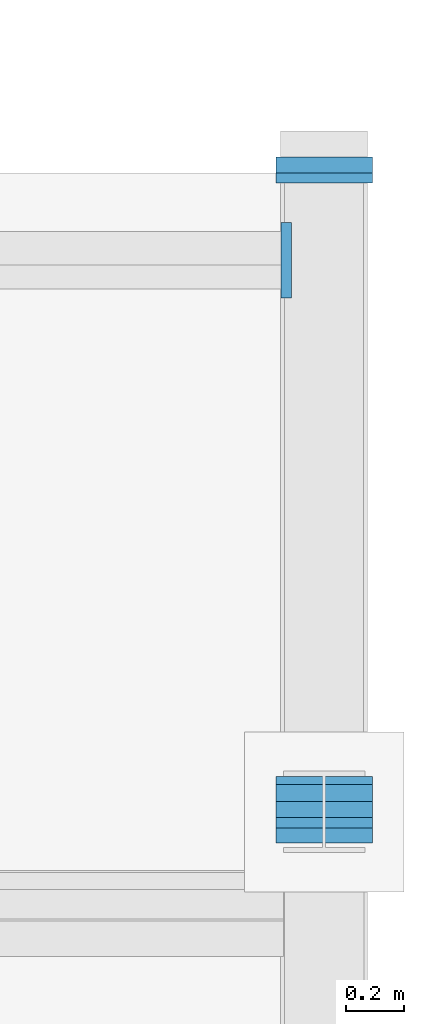
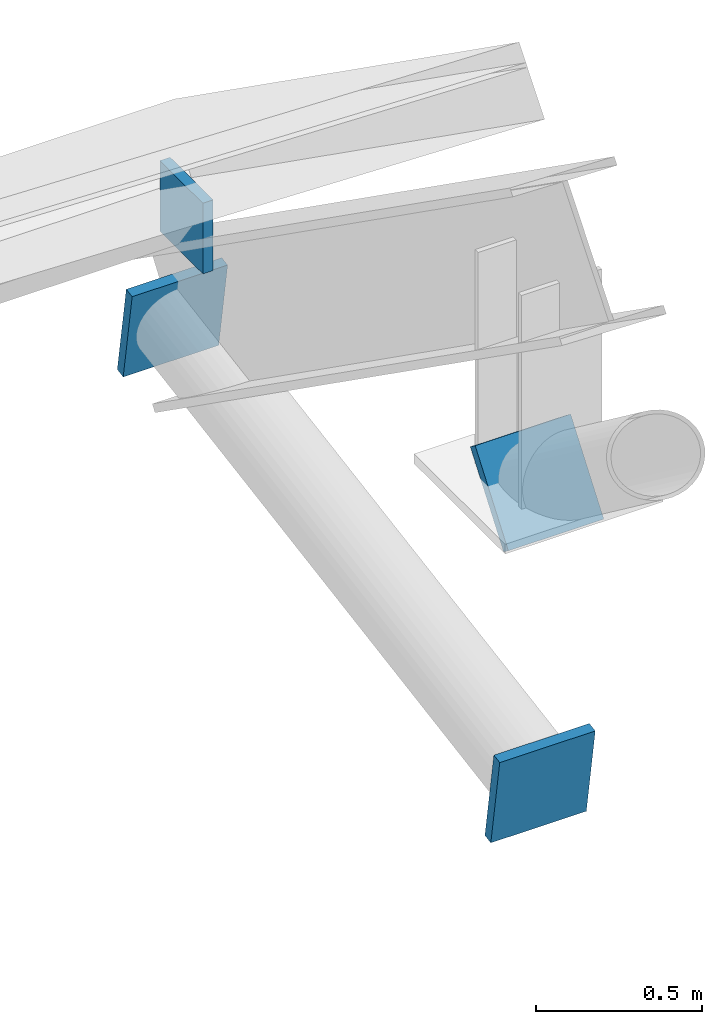
# One storey, part 56 of 57: 4 discrete accessories.
"""IFC4 building model written with IfcOpenShell, lengths in metres."""

from ifc_helpers import new_model, si_unit, direction, frame, origin, origin_2d, place, context, subcontext, project, spatial, rectangle, extrude, material, material_profile, profile_set, type_object, element, save


model = new_model("IFC4")

# Units and contexts
model_context = context("Model", 3, precision=1e-05, world=origin(), true_north=direction((0.0, 1.0)))
body_context = subcontext(model_context, "Body", "Model", "MODEL_VIEW")
ifc_project = project(units=[si_unit("LENGTHUNIT", "METRE"), si_unit("AREAUNIT", "SQUARE_METRE"), si_unit("VOLUMEUNIT", "CUBIC_METRE"), si_unit("PLANEANGLEUNIT", "RADIAN"), si_unit("MASSUNIT", "GRAM", prefix="KILO")], contexts=[model_context])

# Site, building, storey
site_placement = place(None, origin())
site = spatial("IfcSite", under=ifc_project, at=site_placement, CompositionType="ELEMENT")
building_placement = place(site_placement, origin())
building = spatial("IfcBuilding", under=site, at=building_placement, Name="Kelarvand Opera House", CompositionType="ELEMENT")
storey_placement = place(building_placement, frame((0.0, 0.0, 33.60009765625)))
storey = spatial("IfcBuildingStorey", under=building, at=storey_placement, Name="Roof", CompositionType="ELEMENT", Elevation=33.60009765625)

# Discrete accessories
ifc_material = material(Name="Steel S355", Category="steel")
ifc_material_profile_1 = material_profile(ifc_material, rectangle(XDim=0.260009765625, YDim=0.260009765625, at=origin_2d()), Name="Welded Steel Hollow End-Cap Plate 260x260x24", Category="steel")
ifc_profile_set_1 = profile_set([ifc_material_profile_1], Name="Steel S355")
discrete_accessory_type_1 = type_object("IfcDiscreteAccessoryType", Name="Welded Steel Hollow End-Cap Plate 260x260x24", PredefinedType="SHOE", material=ifc_profile_set_1)
discrete_accessory_placement = place(storey_placement, frame((141.652099609375, 80.300048828125, -9.721923828125), z_axis=(1.0, 0.0, 0.0), x_axis=(0.0, 1.0, 0.0)))
element("IfcDiscreteAccessory", 1, at=discrete_accessory_placement, inside=storey, type_object=discrete_accessory_type_1, Name="Hollow Section Welded End Cap 432", PredefinedType="SHOE", context=body_context, shape_type="SweptSolid", body=[
    extrude(rectangle(XDim=0.260009765625, YDim=0.260009765625, at=origin_2d()), origin(), (0.0, 0.0, 1.0), 0.035888671875),
])
ifc_material_profile_2 = material_profile(ifc_material, rectangle(XDim=0.3330078125, YDim=0.3330078125, at=origin_2d()), Name="Welded Steel Hollow End-Cap Plate 333x333x24", Category="steel")
ifc_profile_set_2 = profile_set([ifc_material_profile_2], Name="Steel S355")
discrete_accessory_type_2 = type_object("IfcDiscreteAccessoryType", Name="Welded Steel Hollow End-Cap Plate 333x333x24", PredefinedType="SHOE", material=ifc_profile_set_2)
for number, where, z_axis, x_axis, name in (
    (2, (141.800048828125, 78.407958984375, -10.69873046875), (0.0, -0.986756818481, -0.162206600298), (1.0, 0.0, 0.0), "Hollow Section Welded End Cap 375"),
    (3, (141.800048828125, 80.592041015625, -10.33349609375), (0.0, 0.986756818481, 0.162206600298), (-1.0, 0.0, 0.0), "Hollow Section Welded End Cap 376"),
    (4, (141.800048828125, 78.3935546875, -9.59521484375), (0.0, 0.798373260242, -0.602162882725), (-1.0, 0.0, 0.0), "Hollow Section Welded End Cap 379"),
):
    element("IfcDiscreteAccessory", number, at=place(storey_placement, frame(where, z_axis=z_axis, x_axis=x_axis)), inside=storey, type_object=discrete_accessory_type_2, Name=name, PredefinedType="SHOE", context=body_context, shape_type="SweptSolid", body=[
        extrude(rectangle(XDim=0.3330078125, YDim=0.3330078125, at=origin_2d()), origin(), (0.0, 0.0, 1.0), 0.0361328125),
    ])

save(model, "model.ifc")
